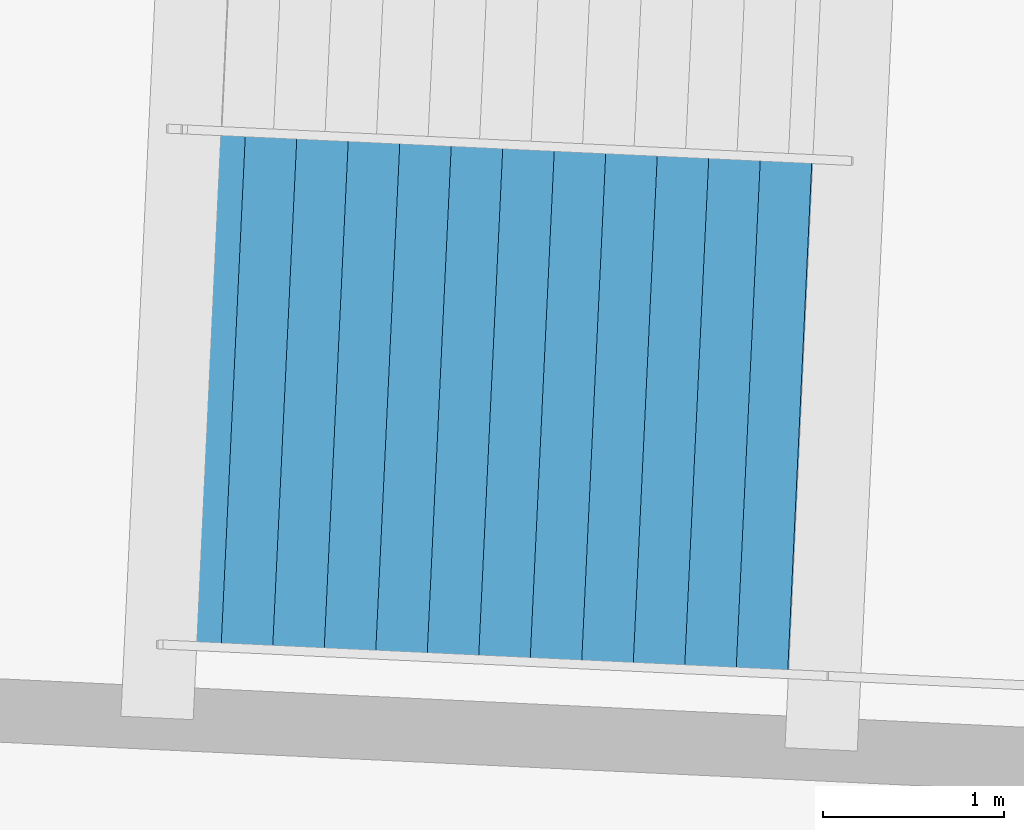
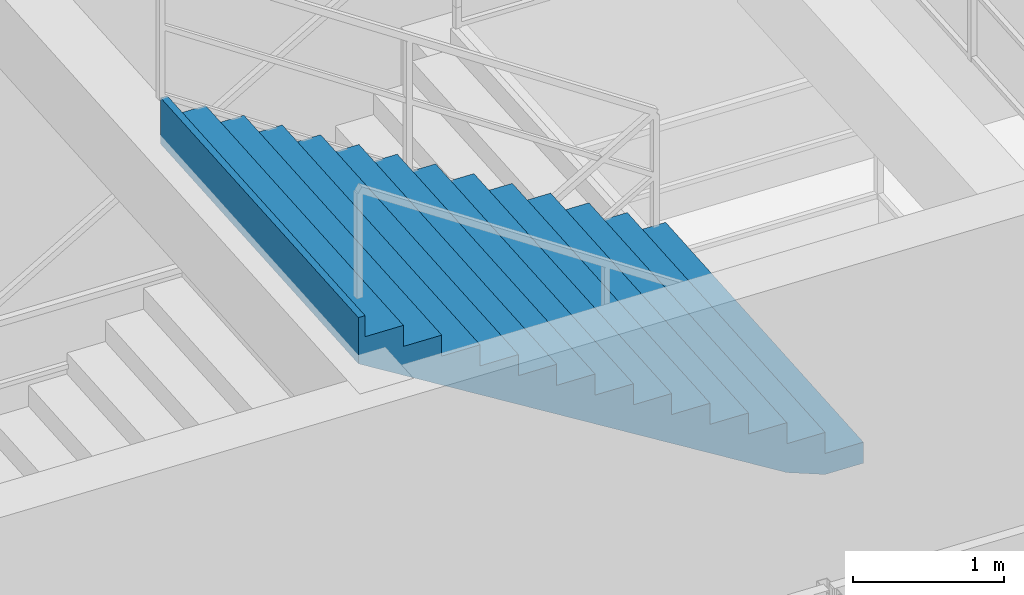
# One storey, part 144 of 171: 1 stair flight, 1 element without a shape of its own.
"""IFC4 building model written with IfcOpenShell, lengths in metres."""

from ifc_helpers import new_model, si_unit, direction, frame, origin, place, context, subcontext, project, spatial, polygons, material, type_object, element, aggregate, save


model = new_model("IFC4")

# Units and contexts
model_context = context("Model", 3, precision=1e-05, world=origin(), true_north=direction((0.0, 1.0)))
body_context = subcontext(model_context, "Body", "Model", "MODEL_VIEW")
ifc_project = project(units=[si_unit("LENGTHUNIT", "METRE"), si_unit("AREAUNIT", "SQUARE_METRE"), si_unit("VOLUMEUNIT", "CUBIC_METRE"), si_unit("PLANEANGLEUNIT", "RADIAN"), si_unit("MASSUNIT", "GRAM", prefix="KILO")], contexts=[model_context])

# Site, building, storey
site_placement = place(None, origin())
site = spatial("IfcSite", under=ifc_project, at=site_placement, CompositionType="ELEMENT")
building_placement = place(site_placement, origin())
building = spatial("IfcBuilding", under=site, at=building_placement, Name="Kazemori Nagisa Stadium", CompositionType="ELEMENT")
storey_placement = place(building_placement, frame((0.0, 0.0, 15.639892578125)))
storey = spatial("IfcBuildingStorey", under=building, at=storey_placement, Name="L03", CompositionType="ELEMENT", Elevation=15.639892578125)

# Stair, stair flight
ifc_material = material(Name="Concrete C36/45 (Fc36)", Category="concrete")
stair_type = type_object("IfcStairType", Name="Stair_CORE_28", PredefinedType="TWO_STRAIGHT_RUN_STAIR", material=ifc_material)
stair_placement = place(storey_placement, origin())
stair = element("IfcStair", 1, at=stair_placement, inside=storey, type_object=stair_type, Name="Exit stair ST12 L03", PredefinedType="TWO_STRAIGHT_RUN_STAIR")
stair_flight_type = type_object("IfcStairFlightType", Name="Flight_CORE_14", PredefinedType="STRAIGHT", material=ifc_material)
stair_flight_placement = place(storey_placement, frame((110.873779296875, 20.9873046875, 2.380126953125), z_axis=(0.0, 0.0, 1.0), x_axis=(-0.998883292929, 0.047245815755, 0.0)))
stair_flight = element("IfcStairFlight", 2, at=stair_flight_placement, type_object=stair_flight_type, Name="Exit stair ST12 L03 flight 2", NumberOfRisers=14, NumberOfTreads=13, PredefinedType="STRAIGHT", RiserHeight=0.17, TreadLength=0.285, context=body_context, shape_type="Tessellation", body=[
    polygons([(0.0, -1.425048828125, 0.0), (0.0, -1.425048828125, 0.169921875), (0.284912109375, -1.425048828125, 0.169921875), (0.284912109375, -1.425048828125, 0.340087890625), (0.570068359375, -1.425048828125, 0.340087890625), (0.570068359375, -1.425048828125, 0.510009765625), (0.85498046875, -1.425048828125, 0.510009765625), (0.85498046875, -1.425048828125, 0.679931640625), (1.139892578125, -1.425048828125, 0.679931640625), (1.139892578125, -1.425048828125, 0.85009765625), (1.425048828125, -1.425048828125, 0.85009765625), (1.425048828125, -1.425048828125, 1.02001953125), (1.7099609375, -1.425048828125, 1.02001953125), (1.7099609375, -1.425048828125, 1.18994140625), (1.9951171875, -1.425048828125, 1.18994140625), (1.9951171875, -1.425048828125, 1.360107421875), (2.280029296875, -1.425048828125, 1.360107421875), (2.280029296875, -1.425048828125, 1.530029296875), (2.56494140625, -1.425048828125, 1.530029296875), (2.56494140625, -1.425048828125, 1.699951171875), (2.85009765625, -1.425048828125, 1.699951171875), (2.85009765625, -1.425048828125, 1.8701171875), (3.135009765625, -1.425048828125, 1.8701171875), (3.135009765625, -1.425048828125, 2.0400390625), (3.419921875, -1.425048828125, 2.0400390625), (3.419921875, -1.425048828125, 2.2099609375), (3.705078125, -1.425048828125, 2.2099609375), (3.705078125, -1.425048828125, 2.3798828125), (3.7548828125, -1.425048828125, 2.3798828125), (3.7548828125, -1.425048828125, 2.007080078125), (3.705078125, -1.425048828125, 1.977294921875), (3.419921875, -1.425048828125, 1.80712890625), (3.135009765625, -1.425048828125, 1.63720703125), (2.85009765625, -1.425048828125, 1.46728515625), (2.56494140625, -1.425048828125, 1.297119140625), (2.280029296875, -1.425048828125, 1.127197265625), (1.9951171875, -1.425048828125, 0.957275390625), (1.7099609375, -1.425048828125, 0.787109375), (1.425048828125, -1.425048828125, 0.6171875), (1.139892578125, -1.425048828125, 0.447265625), (0.85498046875, -1.425048828125, 0.277099609375), (0.570068359375, -1.425048828125, 0.107177734375), (0.284912109375, -1.425048828125, 0.0), (0.0, -0.08544921875, 0.0), (0.0, -0.08544921875, 0.169921875), (0.284912109375, -0.08544921875, 0.169921875), (0.284912109375, -0.08544921875, 0.340087890625), (0.570068359375, -0.08544921875, 0.340087890625), (0.570068359375, -0.08544921875, 0.510009765625), (0.85498046875, -0.08544921875, 0.510009765625), (0.85498046875, -0.08544921875, 0.679931640625), (1.139892578125, -0.08544921875, 0.679931640625), (1.139892578125, -0.08544921875, 0.85009765625), (1.425048828125, -0.08544921875, 0.85009765625), (1.425048828125, -0.08544921875, 1.02001953125), (1.7099609375, -0.08544921875, 1.02001953125), (1.7099609375, -0.08544921875, 1.18994140625), (1.9951171875, -0.08544921875, 1.18994140625), (1.9951171875, -0.08544921875, 1.360107421875), (2.280029296875, -0.08544921875, 1.360107421875), (2.280029296875, -0.08544921875, 1.530029296875), (2.56494140625, -0.08544921875, 1.530029296875), (2.56494140625, -0.08544921875, 1.699951171875), (2.85009765625, -0.08544921875, 1.699951171875), (2.85009765625, -0.08544921875, 1.8701171875), (3.135009765625, -0.08544921875, 1.8701171875), (3.135009765625, -0.08544921875, 2.0400390625), (3.419921875, -0.08544921875, 2.0400390625), (3.419921875, -0.08544921875, 2.2099609375), (3.705078125, -0.08544921875, 2.2099609375), (3.705078125, -0.08544921875, 2.3798828125), (3.7548828125, -0.08544921875, 2.3798828125), (3.7548828125, -0.08544921875, 2.007080078125), (3.705078125, -0.08544921875, 1.977294921875), (3.419921875, -0.08544921875, 1.80712890625), (3.135009765625, -0.08544921875, 1.63720703125), (2.85009765625, -0.08544921875, 1.46728515625), (2.56494140625, -0.08544921875, 1.297119140625), (2.280029296875, -0.08544921875, 1.127197265625), (1.9951171875, -0.08544921875, 0.957275390625), (1.7099609375, -0.08544921875, 0.787109375), (1.425048828125, -0.08544921875, 0.6171875), (1.139892578125, -0.08544921875, 0.447265625), (0.85498046875, -0.08544921875, 0.277099609375), (0.570068359375, -0.08544921875, 0.107177734375), (0.284912109375, -0.08544921875, 0.0), (0.0, 0.0, 0.0), (0.0, 0.0, 0.169921875), (0.284912109375, 0.0, 0.169921875), (0.284912109375, 0.0, 0.340087890625), (0.570068359375, 0.0, 0.340087890625), (0.570068359375, 0.0, 0.510009765625), (0.85498046875, 0.0, 0.510009765625), (0.85498046875, 0.0, 0.679931640625), (1.139892578125, 0.0, 0.679931640625), (1.139892578125, 0.0, 0.85009765625), (1.425048828125, 0.0, 0.85009765625), (1.425048828125, 0.0, 1.02001953125), (1.7099609375, 0.0, 1.02001953125), (1.7099609375, 0.0, 1.18994140625), (1.9951171875, 0.0, 1.18994140625), (1.9951171875, 0.0, 1.360107421875), (2.280029296875, 0.0, 1.360107421875), (2.280029296875, 0.0, 1.530029296875), (2.56494140625, 0.0, 1.530029296875), (2.56494140625, 0.0, 1.699951171875), (2.85009765625, 0.0, 1.699951171875), (2.85009765625, 0.0, 1.8701171875), (3.135009765625, 0.0, 1.8701171875), (3.135009765625, 0.0, 2.0400390625), (3.419921875, 0.0, 2.0400390625), (3.419921875, 0.0, 2.2099609375), (3.705078125, 0.0, 2.2099609375), (3.705078125, 0.0, 2.3798828125), (3.7548828125, 0.0, 2.3798828125), (3.7548828125, 0.0, 2.007080078125), (3.705078125, 0.0, 1.977294921875), (3.419921875, 0.0, 1.80712890625), (3.135009765625, 0.0, 1.63720703125), (2.85009765625, 0.0, 1.46728515625), (2.56494140625, 0.0, 1.297119140625), (2.280029296875, 0.0, 1.127197265625), (1.9951171875, 0.0, 0.957275390625), (1.7099609375, 0.0, 0.787109375), (1.425048828125, 0.0, 0.6171875), (1.139892578125, 0.0, 0.447265625), (0.85498046875, 0.0, 0.277099609375), (0.570068359375, 0.0, 0.107177734375), (0.284912109375, 0.0, 0.0), (0.0, 0.08544921875, 0.0), (0.0, 0.08544921875, 0.169921875), (0.284912109375, 0.08544921875, 0.169921875), (0.284912109375, 0.08544921875, 0.340087890625), (0.570068359375, 0.08544921875, 0.340087890625), (0.570068359375, 0.08544921875, 0.510009765625), (0.85498046875, 0.08544921875, 0.510009765625), (0.85498046875, 0.08544921875, 0.679931640625), (1.139892578125, 0.08544921875, 0.679931640625), (1.139892578125, 0.08544921875, 0.85009765625), (1.425048828125, 0.08544921875, 0.85009765625), (1.425048828125, 0.08544921875, 1.02001953125), (1.7099609375, 0.08544921875, 1.02001953125), (1.7099609375, 0.08544921875, 1.18994140625), (1.9951171875, 0.08544921875, 1.18994140625), (1.9951171875, 0.08544921875, 1.360107421875), (2.280029296875, 0.08544921875, 1.360107421875), (2.280029296875, 0.08544921875, 1.530029296875), (2.56494140625, 0.08544921875, 1.530029296875), (2.56494140625, 0.08544921875, 1.699951171875), (2.85009765625, 0.08544921875, 1.699951171875), (2.85009765625, 0.08544921875, 1.8701171875), (3.135009765625, 0.08544921875, 1.8701171875), (3.135009765625, 0.08544921875, 2.0400390625), (3.419921875, 0.08544921875, 2.0400390625), (3.419921875, 0.08544921875, 2.2099609375), (3.705078125, 0.08544921875, 2.2099609375), (3.705078125, 0.08544921875, 2.3798828125), (3.7548828125, 0.08544921875, 2.3798828125), (3.7548828125, 0.08544921875, 2.007080078125), (3.705078125, 0.08544921875, 1.977294921875), (3.419921875, 0.08544921875, 1.80712890625), (3.135009765625, 0.08544921875, 1.63720703125), (2.85009765625, 0.08544921875, 1.46728515625), (2.56494140625, 0.08544921875, 1.297119140625), (2.280029296875, 0.08544921875, 1.127197265625), (1.9951171875, 0.08544921875, 0.957275390625), (1.7099609375, 0.08544921875, 0.787109375), (1.425048828125, 0.08544921875, 0.6171875), (1.139892578125, 0.08544921875, 0.447265625), (0.85498046875, 0.08544921875, 0.277099609375), (0.570068359375, 0.08544921875, 0.107177734375), (0.284912109375, 0.08544921875, 0.0), (0.0, 1.425048828125, 0.0), (0.0, 1.425048828125, 0.169921875), (0.284912109375, 1.425048828125, 0.169921875), (0.284912109375, 1.425048828125, 0.340087890625), (0.570068359375, 1.425048828125, 0.340087890625), (0.570068359375, 1.425048828125, 0.510009765625), (0.85498046875, 1.425048828125, 0.510009765625), (0.85498046875, 1.425048828125, 0.679931640625), (1.139892578125, 1.425048828125, 0.679931640625), (1.139892578125, 1.425048828125, 0.85009765625), (1.425048828125, 1.425048828125, 0.85009765625), (1.425048828125, 1.425048828125, 1.02001953125), (1.7099609375, 1.425048828125, 1.02001953125), (1.7099609375, 1.425048828125, 1.18994140625), (1.9951171875, 1.425048828125, 1.18994140625), (1.9951171875, 1.425048828125, 1.360107421875), (2.280029296875, 1.425048828125, 1.360107421875), (2.280029296875, 1.425048828125, 1.530029296875), (2.56494140625, 1.425048828125, 1.530029296875), (2.56494140625, 1.425048828125, 1.699951171875), (2.85009765625, 1.425048828125, 1.699951171875), (2.85009765625, 1.425048828125, 1.8701171875), (3.135009765625, 1.425048828125, 1.8701171875), (3.135009765625, 1.425048828125, 2.0400390625), (3.419921875, 1.425048828125, 2.0400390625), (3.419921875, 1.425048828125, 2.2099609375), (3.705078125, 1.425048828125, 2.2099609375), (3.705078125, 1.425048828125, 2.3798828125), (3.7548828125, 1.425048828125, 2.3798828125), (3.7548828125, 1.425048828125, 2.007080078125), (3.705078125, 1.425048828125, 1.977294921875), (3.419921875, 1.425048828125, 1.80712890625), (3.135009765625, 1.425048828125, 1.63720703125), (2.85009765625, 1.425048828125, 1.46728515625), (2.56494140625, 1.425048828125, 1.297119140625), (2.280029296875, 1.425048828125, 1.127197265625), (1.9951171875, 1.425048828125, 0.957275390625), (1.7099609375, 1.425048828125, 0.787109375), (1.425048828125, 1.425048828125, 0.6171875), (1.139892578125, 1.425048828125, 0.447265625), (0.85498046875, 1.425048828125, 0.277099609375), (0.570068359375, 1.425048828125, 0.107177734375), (0.284912109375, 1.425048828125, 0.0)], [[[1, 2, 45]], [[1, 45, 44]], [[2, 3, 46]], [[2, 46, 45]], [[3, 4, 47]], [[3, 47, 46]], [[4, 5, 48]], [[4, 48, 47]], [[5, 6, 49]], [[5, 49, 48]], [[6, 7, 50]], [[6, 50, 49]], [[7, 8, 51]], [[7, 51, 50]], [[8, 9, 52]], [[8, 52, 51]], [[9, 10, 53]], [[9, 53, 52]], [[10, 11, 54]], [[10, 54, 53]], [[11, 12, 55]], [[11, 55, 54]], [[12, 13, 56]], [[12, 56, 55]], [[13, 14, 57]], [[13, 57, 56]], [[14, 15, 58]], [[14, 58, 57]], [[15, 16, 59]], [[15, 59, 58]], [[16, 17, 60]], [[16, 60, 59]], [[17, 18, 61]], [[17, 61, 60]], [[18, 19, 62]], [[18, 62, 61]], [[19, 20, 63]], [[19, 63, 62]], [[20, 21, 64]], [[20, 64, 63]], [[21, 22, 65]], [[21, 65, 64]], [[22, 23, 66]], [[22, 66, 65]], [[23, 24, 67]], [[23, 67, 66]], [[24, 25, 68]], [[24, 68, 67]], [[25, 26, 69]], [[25, 69, 68]], [[26, 27, 70]], [[26, 70, 69]], [[27, 28, 71]], [[27, 71, 70]], [[28, 29, 72]], [[28, 72, 71]], [[29, 30, 73]], [[29, 73, 72]], [[30, 31, 74]], [[30, 74, 73]], [[31, 32, 75]], [[31, 75, 74]], [[32, 33, 76]], [[32, 76, 75]], [[33, 34, 77]], [[33, 77, 76]], [[34, 35, 78]], [[34, 78, 77]], [[35, 36, 79]], [[35, 79, 78]], [[36, 37, 80]], [[36, 80, 79]], [[37, 38, 81]], [[37, 81, 80]], [[38, 39, 82]], [[38, 82, 81]], [[39, 40, 83]], [[39, 83, 82]], [[40, 41, 84]], [[40, 84, 83]], [[41, 42, 85]], [[41, 85, 84]], [[42, 43, 86]], [[42, 86, 85]], [[43, 1, 44]], [[43, 44, 86]], [[44, 45, 88]], [[44, 88, 87]], [[45, 46, 89]], [[45, 89, 88]], [[46, 47, 90]], [[46, 90, 89]], [[47, 48, 91]], [[47, 91, 90]], [[48, 49, 92]], [[48, 92, 91]], [[49, 50, 93]], [[49, 93, 92]], [[50, 51, 94]], [[50, 94, 93]], [[51, 52, 95]], [[51, 95, 94]], [[52, 53, 96]], [[52, 96, 95]], [[53, 54, 97]], [[53, 97, 96]], [[54, 55, 98]], [[54, 98, 97]], [[55, 56, 99]], [[55, 99, 98]], [[56, 57, 100]], [[56, 100, 99]], [[57, 58, 101]], [[57, 101, 100]], [[58, 59, 102]], [[58, 102, 101]], [[59, 60, 103]], [[59, 103, 102]], [[60, 61, 104]], [[60, 104, 103]], [[61, 62, 105]], [[61, 105, 104]], [[62, 63, 106]], [[62, 106, 105]], [[63, 64, 107]], [[63, 107, 106]], [[64, 65, 108]], [[64, 108, 107]], [[65, 66, 109]], [[65, 109, 108]], [[66, 67, 110]], [[66, 110, 109]], [[67, 68, 111]], [[67, 111, 110]], [[68, 69, 112]], [[68, 112, 111]], [[69, 70, 113]], [[69, 113, 112]], [[70, 71, 114]], [[70, 114, 113]], [[71, 72, 115]], [[71, 115, 114]], [[72, 73, 116]], [[72, 116, 115]], [[73, 74, 117]], [[73, 117, 116]], [[74, 75, 118]], [[74, 118, 117]], [[75, 76, 119]], [[75, 119, 118]], [[76, 77, 120]], [[76, 120, 119]], [[77, 78, 121]], [[77, 121, 120]], [[78, 79, 122]], [[78, 122, 121]], [[79, 80, 123]], [[79, 123, 122]], [[80, 81, 124]], [[80, 124, 123]], [[81, 82, 125]], [[81, 125, 124]], [[82, 83, 126]], [[82, 126, 125]], [[83, 84, 127]], [[83, 127, 126]], [[84, 85, 128]], [[84, 128, 127]], [[85, 86, 129]], [[85, 129, 128]], [[86, 44, 87]], [[86, 87, 129]], [[87, 88, 131]], [[87, 131, 130]], [[88, 89, 132]], [[88, 132, 131]], [[89, 90, 133]], [[89, 133, 132]], [[90, 91, 134]], [[90, 134, 133]], [[91, 92, 135]], [[91, 135, 134]], [[92, 93, 136]], [[92, 136, 135]], [[93, 94, 137]], [[93, 137, 136]], [[94, 95, 138]], [[94, 138, 137]], [[95, 96, 139]], [[95, 139, 138]], [[96, 97, 140]], [[96, 140, 139]], [[97, 98, 141]], [[97, 141, 140]], [[98, 99, 142]], [[98, 142, 141]], [[99, 100, 143]], [[99, 143, 142]], [[100, 101, 144]], [[100, 144, 143]], [[101, 102, 145]], [[101, 145, 144]], [[102, 103, 146]], [[102, 146, 145]], [[103, 104, 147]], [[103, 147, 146]], [[104, 105, 148]], [[104, 148, 147]], [[105, 106, 149]], [[105, 149, 148]], [[106, 107, 150]], [[106, 150, 149]], [[107, 108, 151]], [[107, 151, 150]], [[108, 109, 152]], [[108, 152, 151]], [[109, 110, 153]], [[109, 153, 152]], [[110, 111, 154]], [[110, 154, 153]], [[111, 112, 155]], [[111, 155, 154]], [[112, 113, 156]], [[112, 156, 155]], [[113, 114, 157]], [[113, 157, 156]], [[114, 115, 158]], [[114, 158, 157]], [[115, 116, 159]], [[115, 159, 158]], [[116, 117, 160]], [[116, 160, 159]], [[117, 118, 161]], [[117, 161, 160]], [[118, 119, 162]], [[118, 162, 161]], [[119, 120, 163]], [[119, 163, 162]], [[120, 121, 164]], [[120, 164, 163]], [[121, 122, 165]], [[121, 165, 164]], [[122, 123, 166]], [[122, 166, 165]], [[123, 124, 167]], [[123, 167, 166]], [[124, 125, 168]], [[124, 168, 167]], [[125, 126, 169]], [[125, 169, 168]], [[126, 127, 170]], [[126, 170, 169]], [[127, 128, 171]], [[127, 171, 170]], [[128, 129, 172]], [[128, 172, 171]], [[129, 87, 130]], [[129, 130, 172]], [[130, 131, 174]], [[130, 174, 173]], [[131, 132, 175]], [[131, 175, 174]], [[132, 133, 176]], [[132, 176, 175]], [[133, 134, 177]], [[133, 177, 176]], [[134, 135, 178]], [[134, 178, 177]], [[135, 136, 179]], [[135, 179, 178]], [[136, 137, 180]], [[136, 180, 179]], [[137, 138, 181]], [[137, 181, 180]], [[138, 139, 182]], [[138, 182, 181]], [[139, 140, 183]], [[139, 183, 182]], [[140, 141, 184]], [[140, 184, 183]], [[141, 142, 185]], [[141, 185, 184]], [[142, 143, 186]], [[142, 186, 185]], [[143, 144, 187]], [[143, 187, 186]], [[144, 145, 188]], [[144, 188, 187]], [[145, 146, 189]], [[145, 189, 188]], [[146, 147, 190]], [[146, 190, 189]], [[147, 148, 191]], [[147, 191, 190]], [[148, 149, 192]], [[148, 192, 191]], [[149, 150, 193]], [[149, 193, 192]], [[150, 151, 194]], [[150, 194, 193]], [[151, 152, 195]], [[151, 195, 194]], [[152, 153, 196]], [[152, 196, 195]], [[153, 154, 197]], [[153, 197, 196]], [[154, 155, 198]], [[154, 198, 197]], [[155, 156, 199]], [[155, 199, 198]], [[156, 157, 200]], [[156, 200, 199]], [[157, 158, 201]], [[157, 201, 200]], [[158, 159, 202]], [[158, 202, 201]], [[159, 160, 203]], [[159, 203, 202]], [[160, 161, 204]], [[160, 204, 203]], [[161, 162, 205]], [[161, 205, 204]], [[162, 163, 206]], [[162, 206, 205]], [[163, 164, 207]], [[163, 207, 206]], [[164, 165, 208]], [[164, 208, 207]], [[165, 166, 209]], [[165, 209, 208]], [[166, 167, 210]], [[166, 210, 209]], [[167, 168, 211]], [[167, 211, 210]], [[168, 169, 212]], [[168, 212, 211]], [[169, 170, 213]], [[169, 213, 212]], [[170, 171, 214]], [[170, 214, 213]], [[171, 172, 215]], [[171, 215, 214]], [[172, 130, 173]], [[172, 173, 215]], [[3, 2, 1]], [[173, 174, 175]], [[43, 3, 1]], [[173, 175, 215]], [[42, 3, 43]], [[215, 175, 214]], [[5, 3, 42]], [[214, 175, 177]], [[5, 4, 3]], [[175, 176, 177]], [[41, 5, 42]], [[214, 177, 213]], [[7, 5, 41]], [[213, 177, 179]], [[7, 6, 5]], [[177, 178, 179]], [[40, 7, 41]], [[213, 179, 212]], [[9, 7, 40]], [[212, 179, 181]], [[9, 8, 7]], [[179, 180, 181]], [[39, 9, 40]], [[212, 181, 211]], [[11, 9, 39]], [[211, 181, 183]], [[11, 10, 9]], [[181, 182, 183]], [[38, 11, 39]], [[211, 183, 210]], [[13, 11, 38]], [[210, 183, 185]], [[13, 12, 11]], [[183, 184, 185]], [[37, 13, 38]], [[210, 185, 209]], [[15, 13, 37]], [[209, 185, 187]], [[15, 14, 13]], [[185, 186, 187]], [[36, 15, 37]], [[209, 187, 208]], [[17, 15, 36]], [[208, 187, 189]], [[17, 16, 15]], [[187, 188, 189]], [[35, 17, 36]], [[208, 189, 207]], [[19, 17, 35]], [[207, 189, 191]], [[19, 18, 17]], [[189, 190, 191]], [[34, 19, 35]], [[207, 191, 206]], [[21, 19, 34]], [[206, 191, 193]], [[21, 20, 19]], [[191, 192, 193]], [[33, 21, 34]], [[206, 193, 205]], [[23, 21, 33]], [[205, 193, 195]], [[23, 22, 21]], [[193, 194, 195]], [[32, 23, 33]], [[205, 195, 204]], [[25, 23, 32]], [[204, 195, 197]], [[25, 24, 23]], [[195, 196, 197]], [[31, 25, 32]], [[204, 197, 203]], [[27, 25, 31]], [[203, 197, 199]], [[27, 26, 25]], [[197, 198, 199]], [[30, 27, 31]], [[203, 199, 202]], [[29, 27, 30]], [[202, 199, 201]], [[29, 28, 27]], [[199, 200, 201]]], closed=True),
])
aggregate(stair, [stair_flight])

save(model, "model.ifc")
